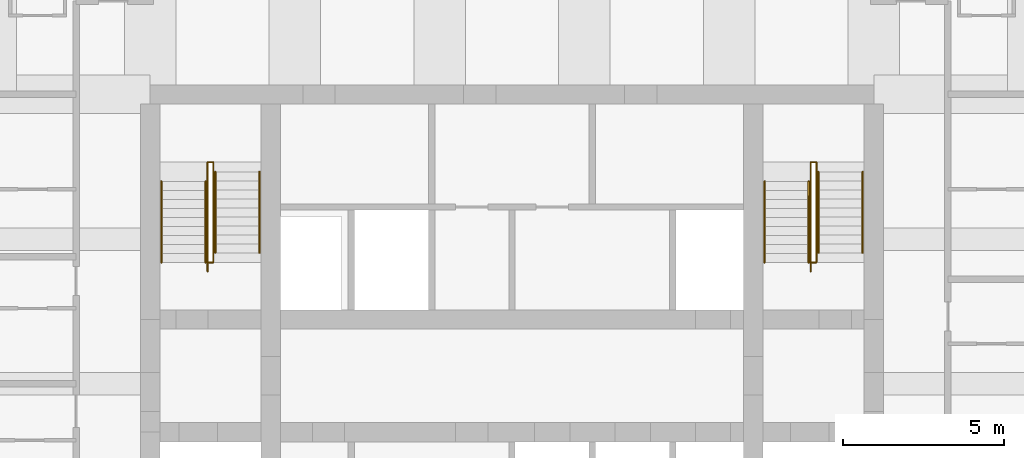
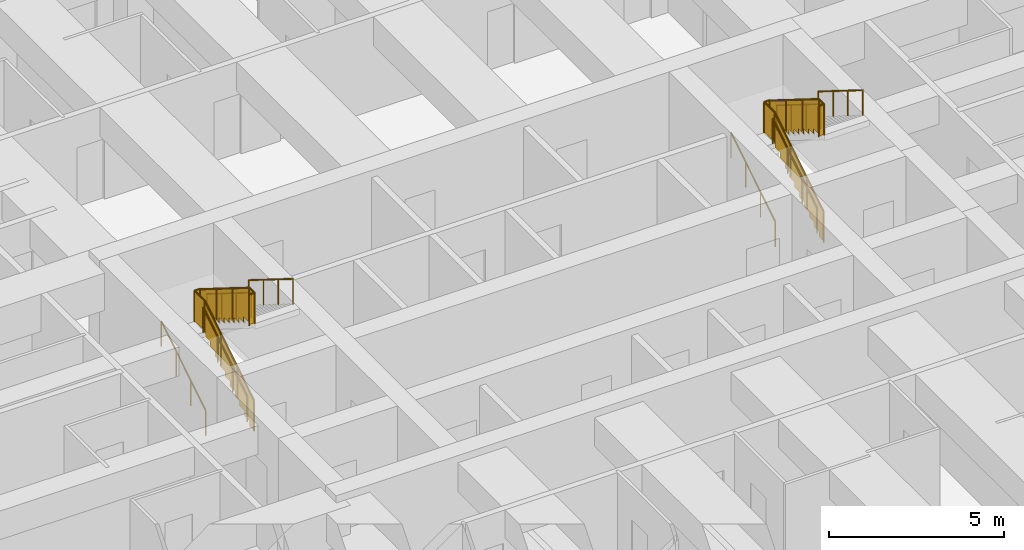
# One storey, part 8 of 8: 12 railings.
"""IFC4 building model written with IfcOpenShell, lengths in metres."""

from ifc_helpers import new_model, si_unit, direction, frame, origin, origin_2d, place, context, subcontext, project, spatial, polyline, circle, outline, extrude, material, type_object, element, save


model = new_model("IFC4")

# Units and contexts
model_context = context("Model", 3, precision=1e-05, world=origin(), true_north=direction((0.0, 1.0)))
body_context = subcontext(model_context, "Body", "Model", "MODEL_VIEW")
ifc_project = project(units=[si_unit("LENGTHUNIT", "METRE"), si_unit("AREAUNIT", "SQUARE_METRE"), si_unit("VOLUMEUNIT", "CUBIC_METRE"), si_unit("PLANEANGLEUNIT", "RADIAN"), si_unit("MASSUNIT", "GRAM", prefix="KILO")], contexts=[model_context])

# Site, building, storey
site_placement = place(None, origin())
site = spatial("IfcSite", under=ifc_project, at=site_placement, CompositionType="ELEMENT")
building_placement = place(site_placement, origin())
building = spatial("IfcBuilding", under=site, at=building_placement, Name="Kilele Tower Hotel", CompositionType="ELEMENT")
storey_placement = place(building_placement, frame((0.0, 0.0, 96.89990234375)))
storey = spatial("IfcBuildingStorey", under=building, at=storey_placement, Name="L24", CompositionType="ELEMENT", Elevation=96.89990234375)

# Railings
ifc_material_1 = material(Name="Steel handrail", Category="steel")
railing_type_1 = type_object("IfcRailingType", Name="Handrail 900", PredefinedType="HANDRAIL", material=ifc_material_1)
for number, where, name in (
    (1, (13.85009765625, 21.77490234375, 0.175048828125), "Handrail ST1 flight 1"),
    (2, (15.22509765625, 21.77490234375, 0.175048828125), "Handrail ST1 flight 1"),
):
    element("IfcRailing", number, at=place(storey_placement, frame(where)), inside=storey, type_object=railing_type_1, Name=name, PredefinedType="HANDRAIL", context=body_context, shape_type="SweptSolid", body=[
        extrude(circle(Radius=0.02490234375, at=origin_2d()), frame((0.0, 0.0, 0.875), z_axis=(0.0, 0.848007534815, 0.529984170421), x_axis=(-1.0, 0.0, 0.0)), (0.0, 0.0, 1.0), 2.9716796875),
        extrude(circle(Radius=0.02001953125, at=origin_2d()), origin(), (0.0, 0.0, 1.0), 0.849853515625),
        extrude(circle(Radius=0.02001953125, at=origin_2d()), frame((0.0, 0.840087890625, 0.52490234375)), (0.0, 0.0, 1.0), 0.849853515625),
        extrude(circle(Radius=0.02001953125, at=origin_2d()), frame((0.0, 1.679931640625, 1.050048828125)), (0.0, 0.0, 1.0), 0.849853515625),
        extrude(circle(Radius=0.02001953125, at=origin_2d()), frame((0.0, 2.52001953125, 1.574951171875)), (0.0, 0.0, 1.0), 0.849853515625),
    ])
for number, where, name in (
    (3, (15.52490234375, 24.594970703125, 1.925048828125), "Handrail ST1 flight 2"),
    (4, (16.89990234375, 24.594970703125, 1.925048828125), "Handrail ST1 flight 2"),
):
    element("IfcRailing", number, at=place(storey_placement, frame(where)), inside=storey, type_object=railing_type_1, Name=name, PredefinedType="HANDRAIL", context=body_context, shape_type="SweptSolid", body=[
        extrude(circle(Radius=0.02490234375, at=origin_2d()), frame((0.0, 0.0, 0.875), z_axis=(0.0, -0.848007534815, 0.529984170421), x_axis=(1.0, 0.0, 0.0)), (0.0, 0.0, 1.0), 2.9716796875),
        extrude(circle(Radius=0.02001953125, at=origin_2d()), origin(), (0.0, 0.0, 1.0), 0.849853515625),
        extrude(circle(Radius=0.02001953125, at=origin_2d()), frame((0.0, -0.840087890625, 0.52490234375)), (0.0, 0.0, 1.0), 0.849853515625),
        extrude(circle(Radius=0.02001953125, at=origin_2d()), frame((0.0, -1.679931640625, 1.050048828125)), (0.0, 0.0, 1.0), 0.849853515625),
        extrude(circle(Radius=0.02001953125, at=origin_2d()), frame((0.0, -2.52001953125, 1.574951171875)), (0.0, 0.0, 1.0), 0.849853515625),
    ])
for number, where, name in (
    (5, (32.60009765625, 21.77490234375, 0.175048828125), "Handrail ST2 flight 1"),
    (6, (33.97509765625, 21.77490234375, 0.175048828125), "Handrail ST2 flight 1"),
):
    element("IfcRailing", number, at=place(storey_placement, frame(where)), inside=storey, type_object=railing_type_1, Name=name, PredefinedType="HANDRAIL", context=body_context, shape_type="SweptSolid", body=[
        extrude(circle(Radius=0.02490234375, at=origin_2d()), frame((0.0, 0.0, 0.875), z_axis=(0.0, 0.848007534815, 0.529984170421), x_axis=(-1.0, 0.0, 0.0)), (0.0, 0.0, 1.0), 2.9716796875),
        extrude(circle(Radius=0.02001953125, at=origin_2d()), origin(), (0.0, 0.0, 1.0), 0.849853515625),
        extrude(circle(Radius=0.02001953125, at=origin_2d()), frame((0.0, 0.840087890625, 0.52490234375)), (0.0, 0.0, 1.0), 0.849853515625),
        extrude(circle(Radius=0.02001953125, at=origin_2d()), frame((0.0, 1.679931640625, 1.050048828125)), (0.0, 0.0, 1.0), 0.849853515625),
        extrude(circle(Radius=0.02001953125, at=origin_2d()), frame((0.0, 2.52001953125, 1.574951171875)), (0.0, 0.0, 1.0), 0.849853515625),
    ])
for number, where, name in (
    (7, (34.27490234375, 24.594970703125, 1.925048828125), "Handrail ST2 flight 2"),
    (8, (35.64990234375, 24.594970703125, 1.925048828125), "Handrail ST2 flight 2"),
):
    element("IfcRailing", number, at=place(storey_placement, frame(where)), inside=storey, type_object=railing_type_1, Name=name, PredefinedType="HANDRAIL", context=body_context, shape_type="SweptSolid", body=[
        extrude(circle(Radius=0.02490234375, at=origin_2d()), frame((0.0, 0.0, 0.875), z_axis=(0.0, -0.848007534815, 0.529984170421), x_axis=(1.0, 0.0, 0.0)), (0.0, 0.0, 1.0), 2.9716796875),
        extrude(circle(Radius=0.02001953125, at=origin_2d()), origin(), (0.0, 0.0, 1.0), 0.849853515625),
        extrude(circle(Radius=0.02001953125, at=origin_2d()), frame((0.0, -0.840087890625, 0.52490234375)), (0.0, 0.0, 1.0), 0.849853515625),
        extrude(circle(Radius=0.02001953125, at=origin_2d()), frame((0.0, -1.679931640625, 1.050048828125)), (0.0, 0.0, 1.0), 0.849853515625),
        extrude(circle(Radius=0.02001953125, at=origin_2d()), frame((0.0, -2.52001953125, 1.574951171875)), (0.0, 0.0, 1.0), 0.849853515625),
    ])
ifc_material_2 = material(Name="Steel guard", Category="steel")
railing_type_2 = type_object("IfcRailingType", Name="Stair guard 1100", PredefinedType="GUARDRAIL", material=ifc_material_2)
railing_1_placement = place(storey_placement, frame((15.284912109375, 21.4951171875, 0.0)))
element("IfcRailing", 9, at=railing_1_placement, inside=storey, type_object=railing_type_2, Name="Stair well guard ST1 flight 1", PredefinedType="GUARDRAIL", context=body_context, shape_type="SweptSolid", body=[
    extrude(circle(Radius=0.02490234375, at=origin_2d()), frame((0.0, 0.0, 1.0751953125), z_axis=(0.0, 0.847981687118, 0.530025526095), x_axis=(-1.0, 0.0, 0.0)), (0.0, 0.0, 1.0), 3.3017578125),
    extrude(circle(Radius=0.02490234375, at=origin_2d()), frame((0.0, 2.7998046875, 2.8251953125), z_axis=(0.0, 1.0, 0.0), x_axis=(-1.0, 0.0, 0.0)), (0.0, 0.0, 1.0), 0.60009765625),
    extrude(circle(Radius=0.02490234375, at=origin_2d()), frame((0.0, 3.39990234375, 2.8251953125), z_axis=(1.0, 0.0, 0.0), x_axis=(0.0, 1.0, 0.0)), (0.0, 0.0, 1.0), 0.18017578125),
    extrude(circle(Radius=0.02490234375, at=origin_2d()), origin(), (0.0, 0.0, 1.0), 1.050048828125),
    extrude(circle(Radius=0.02490234375, at=origin_2d()), frame((0.0, 0.933349609375, 0.583251953125)), (0.0, 0.0, 1.0), 1.050048828125),
    extrude(circle(Radius=0.02490234375, at=origin_2d()), frame((0.0, 1.866455078125, 1.166748046875)), (0.0, 0.0, 1.0), 1.050048828125),
    extrude(circle(Radius=0.02490234375, at=origin_2d()), frame((0.0, 2.7998046875, 1.75)), (0.0, 0.0, 1.0), 1.050048828125),
    extrude(circle(Radius=0.02490234375, at=origin_2d()), frame((0.0, 3.39990234375, 1.75)), (0.0, 0.0, 1.0), 1.050048828125),
    extrude(circle(Radius=0.02490234375, at=origin_2d()), frame((0.18017578125, 3.39990234375, 1.75)), (0.0, 0.0, 1.0), 1.050048828125),
    extrude(outline(polyline([(0.012451171875, 0.030029296875), (0.25, 0.030029296875), (0.25, 0.205078125), (0.530029296875, 0.205078125), (0.530029296875, 0.380126953125), (0.809814453125, 0.380126953125), (0.809814453125, 0.554931640625), (1.08984375, 0.554931640625), (1.08984375, 0.72998046875), (1.369873046875, 0.72998046875), (1.369873046875, 0.905029296875), (1.64990234375, 0.905029296875), (1.64990234375, 1.080078125), (1.929931640625, 1.080078125), (1.929931640625, 1.255126953125), (2.209716796875, 1.255126953125), (2.209716796875, 1.429931640625), (2.48974609375, 1.429931640625), (2.48974609375, 1.60498046875), (2.769775390625, 1.60498046875), (2.769775390625, 1.780029296875), (2.787353515625, 1.780029296875), (2.787353515625, 2.787841796875), (0.012451171875, 1.053466796875), (0.012451171875, 0.030029296875)])), frame((-0.005859375, 0.0, 0.0), z_axis=(1.0, 0.0, 0.0), x_axis=(0.0, 1.0, 0.0)), (0.0, 0.0, 1.0), 0.011962890625),
    extrude(outline(polyline([(0.012451171875, 0.030029296875), (0.587646484375, 0.030029296875), (0.587646484375, 1.050048828125), (0.012451171875, 1.050048828125), (0.012451171875, 0.030029296875)])), frame((-0.005859375, 2.7998046875, 1.75), z_axis=(1.0, 0.0, 0.0), x_axis=(0.0, 1.0, 0.0)), (0.0, 0.0, 1.0), 0.011962890625),
    extrude(outline(polyline([(0.012451171875, 0.030029296875), (0.18017578125, 0.030029296875), (0.18017578125, 1.050048828125), (0.012451171875, 1.050048828125), (0.012451171875, 0.030029296875)])), frame((0.0, 3.40576171875, 1.75), z_axis=(0.0, -1.0, 0.0), x_axis=(1.0, 0.0, 0.0)), (0.0, 0.0, 1.0), 0.011962890625),
])
railing_2_placement = place(storey_placement, frame((15.465087890625, 24.89501953125, 1.75)))
element("IfcRailing", 10, at=railing_2_placement, inside=storey, type_object=railing_type_2, Name="Stair well guard ST1 flight 2", PredefinedType="GUARDRAIL", context=body_context, shape_type="SweptSolid", body=[
    extrude(circle(Radius=0.02490234375, at=origin_2d()), frame((0.0, 0.0, 1.0751953125), z_axis=(0.0, -1.0, 0.0), x_axis=(1.0, 0.0, 0.0)), (0.0, 0.0, 1.0), 0.02001953125),
    extrude(circle(Radius=0.02490234375, at=origin_2d()), frame((0.0, -0.02001953125, 1.0751953125), z_axis=(0.0, -0.848002457836, 0.529992293815), x_axis=(1.0, 0.0, 0.0)), (0.0, 0.0, 1.0), 3.302001953125),
    extrude(circle(Radius=0.02490234375, at=origin_2d()), frame((0.0, -2.820068359375, 2.8251953125), z_axis=(0.0, -1.0, 0.0), x_axis=(1.0, 0.0, 0.0)), (0.0, 0.0, 1.0), 0.300048828125),
    extrude(circle(Radius=0.02490234375, at=origin_2d()), frame((0.0, -3.1201171875, 2.8251953125), z_axis=(-1.0, 0.0, 0.0), x_axis=(0.0, -1.0, 0.0)), (0.0, 0.0, 1.0), 0.18017578125),
    extrude(circle(Radius=0.02490234375, at=origin_2d()), origin(), (0.0, 0.0, 1.0), 1.050048828125),
    extrude(circle(Radius=0.02490234375, at=origin_2d()), frame((0.0, -0.02001953125, 0.0)), (0.0, 0.0, 1.0), 1.050048828125),
    extrude(circle(Radius=0.02490234375, at=origin_2d()), frame((0.0, -0.953369140625, 0.583251953125)), (0.0, 0.0, 1.0), 1.050048828125),
    extrude(circle(Radius=0.02490234375, at=origin_2d()), frame((0.0, -1.88671875, 1.166748046875)), (0.0, 0.0, 1.0), 1.050048828125),
    extrude(circle(Radius=0.02490234375, at=origin_2d()), frame((0.0, -2.820068359375, 1.75)), (0.0, 0.0, 1.0), 1.050048828125),
    extrude(circle(Radius=0.02490234375, at=origin_2d()), frame((0.0, -3.1201171875, 1.75)), (0.0, 0.0, 1.0), 1.050048828125),
    extrude(circle(Radius=0.02490234375, at=origin_2d()), frame((-0.18017578125, -3.1201171875, 1.75)), (0.0, 0.0, 1.0), 1.050048828125),
    extrude(outline(polyline([(0.012451171875, 0.030029296875), (0.25, 0.030029296875), (0.25, 0.205078125), (0.530029296875, 0.205078125), (0.530029296875, 0.380126953125), (0.81005859375, 0.380126953125), (0.81005859375, 0.554931640625), (1.090087890625, 0.554931640625), (1.090087890625, 0.72998046875), (1.3701171875, 0.72998046875), (1.3701171875, 0.905029296875), (1.64990234375, 0.905029296875), (1.64990234375, 1.080078125), (1.929931640625, 1.080078125), (1.929931640625, 1.255126953125), (2.2099609375, 1.255126953125), (2.2099609375, 1.429931640625), (2.489990234375, 1.429931640625), (2.489990234375, 1.60498046875), (2.77001953125, 1.60498046875), (2.77001953125, 1.780029296875), (2.78759765625, 1.780029296875), (2.78759765625, 2.787841796875), (0.012451171875, 1.053466796875), (0.012451171875, 0.030029296875)])), frame((0.005859375, -0.02001953125, 0.0), z_axis=(-1.0, 0.0, 0.0), x_axis=(0.0, -1.0, 0.0)), (0.0, 0.0, 1.0), 0.011962890625),
    extrude(outline(polyline([(0.012451171875, 0.030029296875), (0.28759765625, 0.030029296875), (0.28759765625, 1.050048828125), (0.012451171875, 1.050048828125), (0.012451171875, 0.030029296875)])), frame((0.005859375, -2.820068359375, 1.75), z_axis=(-1.0, 0.0, 0.0), x_axis=(0.0, -1.0, 0.0)), (0.0, 0.0, 1.0), 0.011962890625),
    extrude(outline(polyline([(0.012451171875, 0.030029296875), (0.18017578125, 0.030029296875), (0.18017578125, 1.050048828125), (0.012451171875, 1.050048828125), (0.012451171875, 0.030029296875)])), frame((0.0, -3.1259765625, 1.75), z_axis=(0.0, 1.0, 0.0), x_axis=(-1.0, 0.0, 0.0)), (0.0, 0.0, 1.0), 0.011962890625),
])
railing_3_placement = place(storey_placement, frame((34.034912109375, 21.4951171875, 0.0)))
element("IfcRailing", 11, at=railing_3_placement, inside=storey, type_object=railing_type_2, Name="Stair well guard ST2 flight 1", PredefinedType="GUARDRAIL", context=body_context, shape_type="SweptSolid", body=[
    extrude(circle(Radius=0.02490234375, at=origin_2d()), frame((0.0, 0.0, 1.0751953125), z_axis=(0.0, 0.847981687118, 0.530025526095), x_axis=(-1.0, 0.0, 0.0)), (0.0, 0.0, 1.0), 3.3017578125),
    extrude(circle(Radius=0.02490234375, at=origin_2d()), frame((0.0, 2.7998046875, 2.8251953125), z_axis=(0.0, 1.0, 0.0), x_axis=(-1.0, 0.0, 0.0)), (0.0, 0.0, 1.0), 0.60009765625),
    extrude(circle(Radius=0.02490234375, at=origin_2d()), frame((0.0, 3.39990234375, 2.8251953125), z_axis=(1.0, 0.0, 0.0), x_axis=(0.0, 1.0, 0.0)), (0.0, 0.0, 1.0), 0.18017578125),
    extrude(circle(Radius=0.02490234375, at=origin_2d()), origin(), (0.0, 0.0, 1.0), 1.050048828125),
    extrude(circle(Radius=0.02490234375, at=origin_2d()), frame((0.0, 0.933349609375, 0.583251953125)), (0.0, 0.0, 1.0), 1.050048828125),
    extrude(circle(Radius=0.02490234375, at=origin_2d()), frame((0.0, 1.866455078125, 1.166748046875)), (0.0, 0.0, 1.0), 1.050048828125),
    extrude(circle(Radius=0.02490234375, at=origin_2d()), frame((0.0, 2.7998046875, 1.75)), (0.0, 0.0, 1.0), 1.050048828125),
    extrude(circle(Radius=0.02490234375, at=origin_2d()), frame((0.0, 3.39990234375, 1.75)), (0.0, 0.0, 1.0), 1.050048828125),
    extrude(circle(Radius=0.02490234375, at=origin_2d()), frame((0.18017578125, 3.39990234375, 1.75)), (0.0, 0.0, 1.0), 1.050048828125),
    extrude(outline(polyline([(0.012451171875, 0.030029296875), (0.25, 0.030029296875), (0.25, 0.205078125), (0.530029296875, 0.205078125), (0.530029296875, 0.380126953125), (0.809814453125, 0.380126953125), (0.809814453125, 0.554931640625), (1.08984375, 0.554931640625), (1.08984375, 0.72998046875), (1.369873046875, 0.72998046875), (1.369873046875, 0.905029296875), (1.64990234375, 0.905029296875), (1.64990234375, 1.080078125), (1.929931640625, 1.080078125), (1.929931640625, 1.255126953125), (2.209716796875, 1.255126953125), (2.209716796875, 1.429931640625), (2.48974609375, 1.429931640625), (2.48974609375, 1.60498046875), (2.769775390625, 1.60498046875), (2.769775390625, 1.780029296875), (2.787353515625, 1.780029296875), (2.787353515625, 2.787841796875), (0.012451171875, 1.053466796875), (0.012451171875, 0.030029296875)])), frame((-0.005859375, 0.0, 0.0), z_axis=(1.0, 0.0, 0.0), x_axis=(0.0, 1.0, 0.0)), (0.0, 0.0, 1.0), 0.011962890625),
    extrude(outline(polyline([(0.012451171875, 0.030029296875), (0.587646484375, 0.030029296875), (0.587646484375, 1.050048828125), (0.012451171875, 1.050048828125), (0.012451171875, 0.030029296875)])), frame((-0.005859375, 2.7998046875, 1.75), z_axis=(1.0, 0.0, 0.0), x_axis=(0.0, 1.0, 0.0)), (0.0, 0.0, 1.0), 0.011962890625),
    extrude(outline(polyline([(0.012451171875, 0.030029296875), (0.18017578125, 0.030029296875), (0.18017578125, 1.050048828125), (0.012451171875, 1.050048828125), (0.012451171875, 0.030029296875)])), frame((0.0, 3.40576171875, 1.75), z_axis=(0.0, -1.0, 0.0), x_axis=(1.0, 0.0, 0.0)), (0.0, 0.0, 1.0), 0.011962890625),
])
railing_4_placement = place(storey_placement, frame((34.215087890625, 24.89501953125, 1.75)))
element("IfcRailing", 12, at=railing_4_placement, inside=storey, type_object=railing_type_2, Name="Stair well guard ST2 flight 2", PredefinedType="GUARDRAIL", context=body_context, shape_type="SweptSolid", body=[
    extrude(circle(Radius=0.02490234375, at=origin_2d()), frame((0.0, 0.0, 1.0751953125), z_axis=(0.0, -1.0, 0.0), x_axis=(1.0, 0.0, 0.0)), (0.0, 0.0, 1.0), 0.02001953125),
    extrude(circle(Radius=0.02490234375, at=origin_2d()), frame((0.0, -0.02001953125, 1.0751953125), z_axis=(0.0, -0.848002457836, 0.529992293815), x_axis=(1.0, 0.0, 0.0)), (0.0, 0.0, 1.0), 3.302001953125),
    extrude(circle(Radius=0.02490234375, at=origin_2d()), frame((0.0, -2.820068359375, 2.8251953125), z_axis=(0.0, -1.0, 0.0), x_axis=(1.0, 0.0, 0.0)), (0.0, 0.0, 1.0), 0.300048828125),
    extrude(circle(Radius=0.02490234375, at=origin_2d()), frame((0.0, -3.1201171875, 2.8251953125), z_axis=(-1.0, 0.0, 0.0), x_axis=(0.0, -1.0, 0.0)), (0.0, 0.0, 1.0), 0.18017578125),
    extrude(circle(Radius=0.02490234375, at=origin_2d()), origin(), (0.0, 0.0, 1.0), 1.050048828125),
    extrude(circle(Radius=0.02490234375, at=origin_2d()), frame((0.0, -0.02001953125, 0.0)), (0.0, 0.0, 1.0), 1.050048828125),
    extrude(circle(Radius=0.02490234375, at=origin_2d()), frame((0.0, -0.953369140625, 0.583251953125)), (0.0, 0.0, 1.0), 1.050048828125),
    extrude(circle(Radius=0.02490234375, at=origin_2d()), frame((0.0, -1.88671875, 1.166748046875)), (0.0, 0.0, 1.0), 1.050048828125),
    extrude(circle(Radius=0.02490234375, at=origin_2d()), frame((0.0, -2.820068359375, 1.75)), (0.0, 0.0, 1.0), 1.050048828125),
    extrude(circle(Radius=0.02490234375, at=origin_2d()), frame((0.0, -3.1201171875, 1.75)), (0.0, 0.0, 1.0), 1.050048828125),
    extrude(circle(Radius=0.02490234375, at=origin_2d()), frame((-0.18017578125, -3.1201171875, 1.75)), (0.0, 0.0, 1.0), 1.050048828125),
    extrude(outline(polyline([(0.012451171875, 0.030029296875), (0.25, 0.030029296875), (0.25, 0.205078125), (0.530029296875, 0.205078125), (0.530029296875, 0.380126953125), (0.81005859375, 0.380126953125), (0.81005859375, 0.554931640625), (1.090087890625, 0.554931640625), (1.090087890625, 0.72998046875), (1.3701171875, 0.72998046875), (1.3701171875, 0.905029296875), (1.64990234375, 0.905029296875), (1.64990234375, 1.080078125), (1.929931640625, 1.080078125), (1.929931640625, 1.255126953125), (2.2099609375, 1.255126953125), (2.2099609375, 1.429931640625), (2.489990234375, 1.429931640625), (2.489990234375, 1.60498046875), (2.77001953125, 1.60498046875), (2.77001953125, 1.780029296875), (2.78759765625, 1.780029296875), (2.78759765625, 2.787841796875), (0.012451171875, 1.053466796875), (0.012451171875, 0.030029296875)])), frame((0.005859375, -0.02001953125, 0.0), z_axis=(-1.0, 0.0, 0.0), x_axis=(0.0, -1.0, 0.0)), (0.0, 0.0, 1.0), 0.011962890625),
    extrude(outline(polyline([(0.012451171875, 0.030029296875), (0.28759765625, 0.030029296875), (0.28759765625, 1.050048828125), (0.012451171875, 1.050048828125), (0.012451171875, 0.030029296875)])), frame((0.005859375, -2.820068359375, 1.75), z_axis=(-1.0, 0.0, 0.0), x_axis=(0.0, -1.0, 0.0)), (0.0, 0.0, 1.0), 0.011962890625),
    extrude(outline(polyline([(0.012451171875, 0.030029296875), (0.18017578125, 0.030029296875), (0.18017578125, 1.050048828125), (0.012451171875, 1.050048828125), (0.012451171875, 0.030029296875)])), frame((0.0, -3.1259765625, 1.75), z_axis=(0.0, 1.0, 0.0), x_axis=(-1.0, 0.0, 0.0)), (0.0, 0.0, 1.0), 0.011962890625),
])

save(model, "model.ifc")
